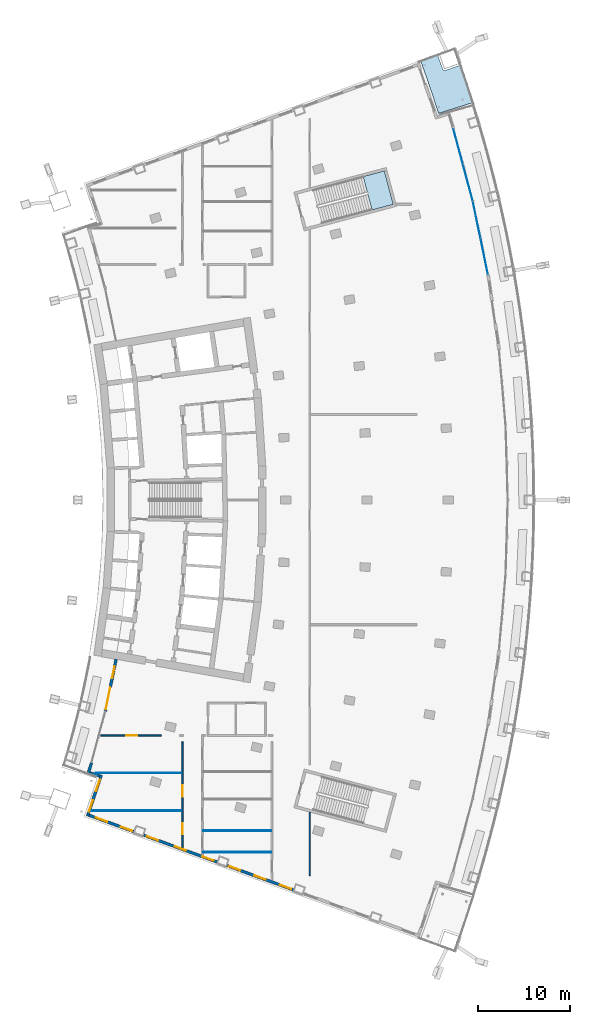
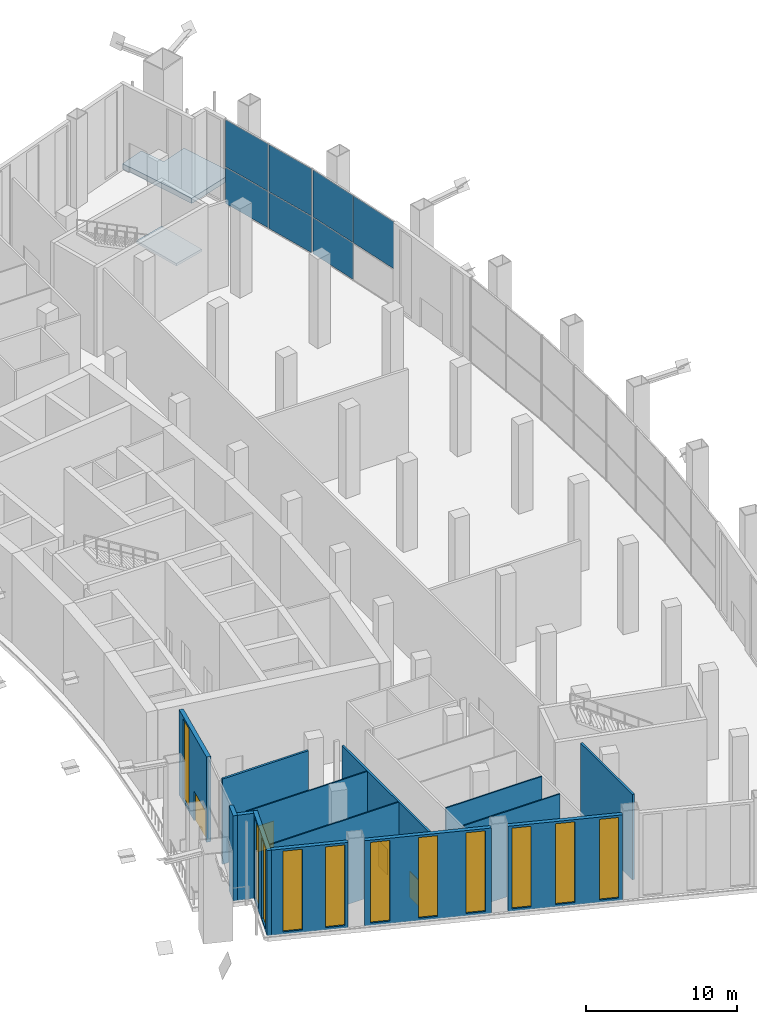
# One storey, part 15 of 27: 14 walls, 11 windows, 7 plates, 4 doors, 2 slabs, 15 openings, 3 elements without a shape of their own.
"""IFC4 building model written with IfcOpenShell, lengths in metres."""

from ifc_helpers import new_model, si_unit, direction, frame, frame_2d, origin, origin_2d, place, context, subcontext, project, spatial, polyline, rectangle, outline, extrude, material, layer, layer_set, type_object, element, fill, aggregate, save


model = new_model("IFC4")

# Units and contexts
model_context = context("Model", 3, precision=1e-05, world=origin(), true_north=direction((0.0, 1.0)))
body_context = subcontext(model_context, "Body", "Model", "MODEL_VIEW")
ifc_project = project(units=[si_unit("LENGTHUNIT", "METRE"), si_unit("AREAUNIT", "SQUARE_METRE"), si_unit("VOLUMEUNIT", "CUBIC_METRE"), si_unit("PLANEANGLEUNIT", "RADIAN"), si_unit("MASSUNIT", "GRAM", prefix="KILO")], contexts=[model_context])

# Site, building, storey
site_placement = place(None, origin())
site = spatial("IfcSite", under=ifc_project, at=site_placement, CompositionType="ELEMENT")
building_placement = place(site_placement, origin())
building = spatial("IfcBuilding", under=site, at=building_placement, Name="Alderwake Tower", CompositionType="ELEMENT")
storey_placement = place(building_placement, frame((0.0, 0.0, 75.199951171875)))
storey = spatial("IfcBuildingStorey", under=building, at=storey_placement, Name="L18", CompositionType="ELEMENT", Elevation=75.199951171875)

# Stair, slab
ifc_material_1 = material(Name="Concrete C40/50", Category="concrete")
stair_type = type_object("IfcStairType", Name="Core exit stair", PredefinedType="HALF_TURN_STAIR", material=ifc_material_1)
stair_placement = place(storey_placement, origin())
stair = element("IfcStair", 1, at=stair_placement, inside=storey, type_object=stair_type, Name="L18 Exit Stair A", PredefinedType="HALF_TURN_STAIR")
ifc_material_2 = material(Name="Concrete C40/50", Category="concrete")
ifc_layer_1 = layer(ifc_material_2, 0.199951171875)
ifc_layer_set_1 = layer_set([ifc_layer_1], Name="Core stair landing 200")
slab_type_1 = type_object("IfcSlabType", Name="Core stair landing 200", PredefinedType="LANDING", material=ifc_layer_set_1)
slab_1_placement = place(storey_placement, frame((0.0, 0.0, 3.400146484375)))
slab_1 = element("IfcSlab", 2, at=slab_1_placement, type_object=slab_type_1, Name="ST-A landing 1", PredefinedType="LANDING", context=body_context, shape_type="SweptSolid", body=[
    extrude(outline(polyline([(45.146240234375, 92.39306640625), (47.436279296875, 93.003173828125), (46.47119140625, 96.626708984375), (44.18115234375, 96.0166015625), (45.146240234375, 92.39306640625)])), origin(), (0.0, 0.0, 1.0), 0.199951171875),
])
aggregate(stair, [slab_1])

# Curtain wall, plates
ifc_material_3 = material(Name="Bronze tinted glass in aluminium frame", Category="aluminium")
ifc_layer_2 = layer(ifc_material_3, 0.199951171875)
ifc_layer_set_2 = layer_set([ifc_layer_2], Name="Curtain wall CW3 sky garden glazing")
curtain_wall_type = type_object("IfcCurtainWallType", Name="Curtain wall CW3 sky garden glazing", PredefinedType="NOTDEFINED", material=ifc_layer_set_2)
curtain_wall_1_placement = place(storey_placement, origin())
curtain_wall_1 = element("IfcCurtainWall", 3, at=curtain_wall_1_placement, inside=storey, type_object=curtain_wall_type, Name="Curtain wall 9", PredefinedType="NOTDEFINED")
ifc_material_4 = material(Name="Bronze tinted glass in aluminium frame", Category="aluminium")
ifc_layer_3 = layer(ifc_material_4, 0.028076171875)
ifc_layer_set_3 = layer_set([ifc_layer_3], Name="Glass panel GPC 28")
plate_type = type_object("IfcPlateType", Name="Glass panel GPC 28", PredefinedType="CURTAIN_PANEL", material=ifc_layer_set_3)
plate_1_placement = place(storey_placement, frame((57.297607421875, 87.35986328125, 3.030029296875), z_axis=(0.0, 0.0, 1.0), x_axis=(-0.202741361928, 0.979232321854, 0.0)))
plate_1 = element("IfcPlate", 4, at=plate_1_placement, type_object=plate_type, Name="CW.09 panel 1.2", PredefinedType="CURTAIN_PANEL", context=body_context, shape_type="SweptSolid", body=[
    extrude(rectangle(XDim=3.98974609375, YDim=0.028076171875, at=origin_2d()), origin(), (0.0, 0.0, 1.0), 3.7900390625),
])
plate_2_placement = place(storey_placement, frame((56.4765625, 91.325439453125, 0.06005859375), z_axis=(0.0, 0.0, 1.0), x_axis=(-0.202741361928, 0.979232321854, 0.0)))
plate_2 = element("IfcPlate", 5, at=plate_2_placement, type_object=plate_type, Name="CW.09 panel 2.1", PredefinedType="CURTAIN_PANEL", context=body_context, shape_type="SweptSolid", body=[
    extrude(rectangle(XDim=3.98974609375, YDim=0.028076171875, at=origin_2d()), origin(), (0.0, 0.0, 1.0), 2.909912109375),
])
plate_3_placement = place(storey_placement, frame((56.4765625, 91.325439453125, 3.030029296875), z_axis=(0.0, 0.0, 1.0), x_axis=(-0.202741361928, 0.979232321854, 0.0)))
plate_3 = element("IfcPlate", 6, at=plate_3_placement, type_object=plate_type, Name="CW.09 panel 2.2", PredefinedType="CURTAIN_PANEL", context=body_context, shape_type="SweptSolid", body=[
    extrude(rectangle(XDim=3.98974609375, YDim=0.028076171875, at=origin_2d()), origin(), (0.0, 0.0, 1.0), 3.7900390625),
])
aggregate(curtain_wall_1, [plate_1, plate_2, plate_3])

curtain_wall_2_placement = place(storey_placement, origin())
curtain_wall_2 = element("IfcCurtainWall", 7, at=curtain_wall_2_placement, inside=storey, type_object=curtain_wall_type, Name="Curtain wall 10", PredefinedType="NOTDEFINED")
plate_4_placement = place(storey_placement, frame((55.52734375, 95.3193359375, 0.06005859375), z_axis=(0.0, 0.0, 1.0), x_axis=(-0.259494384779, 0.965744616484, 0.0)))
plate_4 = element("IfcPlate", 8, at=plate_4_placement, type_object=plate_type, Name="CW.10 panel 1.1", PredefinedType="CURTAIN_PANEL", context=body_context, shape_type="SweptSolid", body=[
    extrude(rectangle(XDim=3.98974609375, YDim=0.028076171875, at=origin_2d()), origin(), (0.0, 0.0, 1.0), 2.909912109375),
])
plate_5_placement = place(storey_placement, frame((55.52734375, 95.3193359375, 3.030029296875), z_axis=(0.0, 0.0, 1.0), x_axis=(-0.259494384779, 0.965744616484, 0.0)))
plate_5 = element("IfcPlate", 9, at=plate_5_placement, type_object=plate_type, Name="CW.10 panel 1.2", PredefinedType="CURTAIN_PANEL", context=body_context, shape_type="SweptSolid", body=[
    extrude(rectangle(XDim=3.98974609375, YDim=0.028076171875, at=origin_2d()), origin(), (0.0, 0.0, 1.0), 3.7900390625),
])
plate_6_placement = place(storey_placement, frame((54.4765625, 99.23046875, 0.06005859375), z_axis=(0.0, 0.0, 1.0), x_axis=(-0.259494384779, 0.965744616484, 0.0)))
plate_6 = element("IfcPlate", 10, at=plate_6_placement, type_object=plate_type, Name="CW.10 panel 2.1", PredefinedType="CURTAIN_PANEL", context=body_context, shape_type="SweptSolid", body=[
    extrude(rectangle(XDim=3.98974609375, YDim=0.028076171875, at=origin_2d()), origin(), (0.0, 0.0, 1.0), 2.909912109375),
])
plate_7_placement = place(storey_placement, frame((54.4765625, 99.23046875, 3.030029296875), z_axis=(0.0, 0.0, 1.0), x_axis=(-0.259494384779, 0.965744616484, 0.0)))
plate_7 = element("IfcPlate", 11, at=plate_7_placement, type_object=plate_type, Name="CW.10 panel 2.2", PredefinedType="CURTAIN_PANEL", context=body_context, shape_type="SweptSolid", body=[
    extrude(rectangle(XDim=3.98974609375, YDim=0.028076171875, at=origin_2d()), origin(), (0.0, 0.0, 1.0), 3.7900390625),
])
aggregate(curtain_wall_2, [plate_4, plate_5, plate_6, plate_7])

# Slab
ifc_material_5 = material(Name="Concrete C50/60", Category="concrete")
ifc_layer_4 = layer(ifc_material_5, 0.419921875)
ifc_layer_set_4 = layer_set([ifc_layer_4], Name="Terrace slab 420")
slab_type_2 = type_object("IfcSlabType", Name="Terrace slab 420", PredefinedType="FLOOR", material=ifc_layer_set_4)
slab_2_placement = place(storey_placement, frame((0.0, 0.0, -0.419921875)))
element("IfcSlab", 12, at=slab_2_placement, inside=storey, type_object=slab_type_2, Name="Corner terrace FN", PredefinedType="FLOOR", context=body_context, shape_type="SweptSolid", body=[
    extrude(outline(polyline([(54.84228515625, 108.00439453125), (55.51318359375, 106.032958984375), (56.155517578125, 104.052001953125), (52.341796875, 102.84619140625), (51.71728515625, 104.771484375), (51.065185546875, 106.687744140625), (50.385009765625, 108.59423828125), (52.219482421875, 109.263916015625), (52.82275390625, 107.57763671875), (52.828369140625, 107.564208984375), (52.83544921875, 107.55126953125), (52.843505859375, 107.538818359375), (52.852783203125, 107.527587890625), (52.86328125, 107.51708984375), (52.874755859375, 107.5078125), (52.886962890625, 107.49951171875), (52.89990234375, 107.49267578125), (52.91357421875, 107.487060546875), (52.927490234375, 107.48291015625), (52.94189453125, 107.47998046875), (52.956787109375, 107.478515625), (52.971435546875, 107.478515625), (52.986083984375, 107.47998046875), (53.00048828125, 107.48291015625), (53.0146484375, 107.487060546875), (54.798828125, 108.12548828125), (54.84228515625, 108.00439453125)])), origin(), (0.0, 0.0, 1.0), 0.419921875),
])

# Wall, opening, door
ifc_material_6 = material(Name="Gypsum board on metal studs, rated")
ifc_layer_5 = layer(ifc_material_6, 0.159912109375)
ifc_layer_set_5 = layer_set([ifc_layer_5], Name="Corridor wall 160")
wall_type_1 = type_object("IfcWallType", Name="Corridor wall 160", PredefinedType="PARTITIONING", material=ifc_layer_set_5)
wall_1_placement = place(storey_placement, frame((15.781982421875, 35.4990234375, 0.0), z_axis=(0.0, 0.0, 1.0), x_axis=(1.0, 0.0, 0.0)))
wall_1 = element("IfcWall", 13, at=wall_1_placement, inside=storey, type_object=wall_type_1, Name="WL/L18/W06", PredefinedType="PARTITIONING", context=body_context, shape_type="SweptSolid", body=[
    extrude(rectangle(XDim=6.5439453125, YDim=0.159912109375, at=frame_2d((3.27197265625, 0.0))), origin(), (0.0, 0.0, 1.0), 6.880126953125),
])
opening_1_placement = place(wall_1_placement, frame((2.7294921875, 0.0, 0.0)))
opening_1 = element("IfcOpeningElement", 14, at=opening_1_placement, cuts=wall_1, Name="Opening L18-01", PredefinedType="OPENING", context=body_context, shape_type="SweptSolid", body=[
    extrude(rectangle(XDim=1.199951171875, YDim=2.10009765625, at=frame_2d((0.60009765625, 1.050048828125))), frame((0.0, 0.08984375, 0.0), z_axis=(0.0, -1.0, 0.0), x_axis=(1.0, 0.0, 0.0)), (0.0, 0.0, 1.0), 0.179931640625),
])
ifc_material_7 = material(Name="Steel door leaf in steel frame", Category="steel")
door_type_1 = type_object("IfcDoorType", Name="Plant room door 1200 steel", OperationType="SINGLE_SWING_LEFT", PredefinedType="DOOR", material=ifc_material_7)
door_1_placement = place(opening_1_placement, origin())
door_1 = element("IfcDoor", 15, at=door_1_placement, inside=storey, type_object=door_type_1, Name="DR/L18/01", OperationType="SINGLE_SWING_LEFT", OverallHeight=2.10009765625, OverallWidth=1.199951171875, PredefinedType="DOOR", context=body_context, shape_type="SweptSolid", body=[
    extrude(rectangle(XDim=1.199951171875, YDim=2.10009765625, at=frame_2d((0.60009765625, 1.050048828125))), frame((0.0, 0.02490234375, 0.0), z_axis=(0.0, -1.0, 0.0), x_axis=(1.0, 0.0, 0.0)), (0.0, 0.0, 1.0), 0.050048828125),
])
fill(opening_1, door_1)

# Wall, openings, doors
wall_2_placement = place(storey_placement, frame((24.60009765625, 34.819091796875, 0.0), z_axis=(0.0, 0.0, 1.0), x_axis=(0.0, -1.0, 0.0)))
wall_2 = element("IfcWall", 16, at=wall_2_placement, inside=storey, type_object=wall_type_1, Name="WL/L18/W09", PredefinedType="PARTITIONING", context=body_context, shape_type="SweptSolid", body=[
    extrude(rectangle(XDim=11.4501953125, YDim=0.159912109375, at=frame_2d((5.72509765625, 0.0))), origin(), (0.0, 0.0, 1.0), 6.880126953125),
])
opening_2_placement = place(wall_2_placement, frame((4.718994140625, 0.0, 0.0)))
opening_2 = element("IfcOpeningElement", 17, at=opening_2_placement, cuts=wall_2, Name="Opening L18-02", PredefinedType="OPENING", context=body_context, shape_type="SweptSolid", body=[
    extrude(rectangle(XDim=1.199951171875, YDim=2.10009765625, at=frame_2d((0.60009765625, 1.050048828125))), frame((0.0, 0.08984375, 0.0), z_axis=(0.0, -1.0, 0.0), x_axis=(1.0, 0.0, 0.0)), (0.0, 0.0, 1.0), 0.179931640625),
])
opening_3_placement = place(wall_2_placement, frame((8.819091796875, 0.0, 0.0)))
opening_3 = element("IfcOpeningElement", 18, at=opening_3_placement, cuts=wall_2, Name="Opening L18-03", PredefinedType="OPENING", context=body_context, shape_type="SweptSolid", body=[
    extrude(rectangle(XDim=1.199951171875, YDim=2.10009765625, at=frame_2d((0.60009765625, 1.050048828125))), frame((0.0, 0.08984375, 0.0), z_axis=(0.0, -1.0, 0.0), x_axis=(1.0, 0.0, 0.0)), (0.0, 0.0, 1.0), 0.179931640625),
])
door_2_placement = place(opening_2_placement, origin())
door_2 = element("IfcDoor", 19, at=door_2_placement, inside=storey, type_object=door_type_1, Name="DR/L18/02", OperationType="SINGLE_SWING_LEFT", OverallHeight=2.10009765625, OverallWidth=1.199951171875, PredefinedType="DOOR", context=body_context, shape_type="SweptSolid", body=[
    extrude(rectangle(XDim=1.199951171875, YDim=2.10009765625, at=frame_2d((0.60009765625, 1.050048828125))), frame((0.0, 0.02490234375, 0.0), z_axis=(0.0, -1.0, 0.0), x_axis=(1.0, 0.0, 0.0)), (0.0, 0.0, 1.0), 0.050048828125),
])
fill(opening_2, door_2)
door_3_placement = place(opening_3_placement, origin())
door_3 = element("IfcDoor", 20, at=door_3_placement, inside=storey, type_object=door_type_1, Name="DR/L18/03", OperationType="SINGLE_SWING_LEFT", OverallHeight=2.10009765625, OverallWidth=1.199951171875, PredefinedType="DOOR", context=body_context, shape_type="SweptSolid", body=[
    extrude(rectangle(XDim=1.199951171875, YDim=2.10009765625, at=frame_2d((0.60009765625, 1.050048828125))), frame((0.0, 0.02490234375, 0.0), z_axis=(0.0, -1.0, 0.0), x_axis=(1.0, 0.0, 0.0)), (0.0, 0.0, 1.0), 0.050048828125),
])
fill(opening_3, door_3)

# Wall
wall_3_placement = place(storey_placement, frame((38.39990234375, 20.343017578125, 0.0), z_axis=(0.0, 0.0, 1.0), x_axis=(0.0, 1.0, 0.0)))
element("IfcWall", 21, at=wall_3_placement, inside=storey, type_object=wall_type_1, Name="WL/L18/W26", PredefinedType="PARTITIONING", context=body_context, shape_type="SweptSolid", body=[
    extrude(rectangle(XDim=6.85009765625, YDim=0.159912109375, at=frame_2d((3.425048828125, 0.0))), origin(), (0.0, 0.0, 1.0), 6.880126953125),
])

# Wall, openings, door, window
ifc_material_8 = material(Name="Precast concrete C50/60 spandrel panel", Category="concrete")
ifc_layer_6 = layer(ifc_material_8, 0.300048828125)
ifc_layer_set_6 = layer_set([ifc_layer_6], Name="External wall EW1 Precast concrete C50/60 spandrel")
wall_type_2 = type_object("IfcWallType", Name="External wall EW1 Precast concrete C50/60 spandrel", PredefinedType="SOLIDWALL", material=ifc_layer_set_6)
wall_4_placement = place(storey_placement, frame((17.436279296875, 43.7607421875, 0.0), z_axis=(0.0, 0.0, 1.0), x_axis=(-0.202748605446, -0.97923082212, 0.0)))
wall_4 = element("IfcWall", 22, at=wall_4_placement, inside=storey, type_object=wall_type_2, Name="External wall 4", PredefinedType="SOLIDWALL", context=body_context, shape_type="SweptSolid", body=[
    extrude(rectangle(XDim=5.75830078125, YDim=0.300048828125, at=frame_2d((2.879150390625, 0.0))), origin(), (0.0, 0.0, 1.0), 6.880126953125),
])
opening_4_placement = place(wall_4_placement, frame((0.781982421875, 0.0, 0.199951171875)))
opening_4 = element("IfcOpeningElement", 23, at=opening_4_placement, cuts=wall_4, Name="Opening W5", PredefinedType="OPENING", context=body_context, shape_type="SweptSolid", body=[
    extrude(rectangle(XDim=1.300048828125, YDim=6.5, at=frame_2d((0.64990234375, 3.25))), frame((0.0, 0.159912109375, 0.0), z_axis=(0.0, -1.0, 0.0), x_axis=(1.0, 0.0, 0.0)), (0.0, 0.0, 1.0), 0.320068359375),
])
opening_5_placement = place(wall_4_placement, frame((3.1162109375, 0.0, 0.0)))
opening_5 = element("IfcOpeningElement", 24, at=opening_5_placement, cuts=wall_4, Name="Opening D02", PredefinedType="OPENING", context=body_context, shape_type="SweptSolid", body=[
    extrude(rectangle(XDim=2.39990234375, YDim=2.39990234375, at=frame_2d((1.199951171875, 1.199951171875))), frame((0.0, 0.159912109375, 0.0), z_axis=(0.0, -1.0, 0.0), x_axis=(1.0, 0.0, 0.0)), (0.0, 0.0, 1.0), 0.320068359375),
])
ifc_material_9 = material(Name="Bronze tinted glass in aluminium frame", Category="aluminium")
door_type_2 = type_object("IfcDoorType", Name="Garden door GD sliding", OperationType="DOUBLE_DOOR_SINGLE_SWING", PredefinedType="DOOR", material=ifc_material_9)
door_4_placement = place(opening_5_placement, origin())
door_4 = element("IfcDoor", 25, at=door_4_placement, inside=storey, type_object=door_type_2, Name="Door D02", OperationType="DOUBLE_DOOR_SINGLE_SWING", OverallHeight=2.39990234375, OverallWidth=2.39990234375, PredefinedType="DOOR", context=body_context, shape_type="SweptSolid", body=[
    extrude(rectangle(XDim=2.39990234375, YDim=2.39990234375, at=frame_2d((1.199951171875, 1.199951171875))), frame((0.0, 0.02490234375, 0.0), z_axis=(0.0, -1.0, 0.0), x_axis=(1.0, 0.0, 0.0)), (0.0, 0.0, 1.0), 0.050048828125),
])
fill(opening_5, door_4)
ifc_material_10 = material(Name="Bronze tinted glass in aluminium frame", Category="aluminium")
window_type = type_object("IfcWindowType", Name="Window W5 garden floor tall", PartitioningType="SINGLE_PANEL", PredefinedType="WINDOW", material=ifc_material_10)
window_1_placement = place(opening_4_placement, origin())
window_1 = element("IfcWindow", 26, at=window_1_placement, inside=storey, type_object=window_type, Name="Window W5 garden floor tall", OverallHeight=6.5, OverallWidth=1.300048828125, PartitioningType="SINGLE_PANEL", PredefinedType="WINDOW", context=body_context, shape_type="SweptSolid", body=[
    extrude(rectangle(XDim=1.300048828125, YDim=6.5, at=frame_2d((0.64990234375, 3.25))), frame((0.0, 0.030029296875, 0.0), z_axis=(0.0, -1.0, 0.0), x_axis=(1.0, 0.0, 0.0)), (0.0, 0.0, 1.0), 0.06005859375),
])
fill(opening_4, window_1)

# Walls
wall_5_placement = place(storey_placement, frame((14.77099609375, 32.546630859375, 0.0), z_axis=(0.0, 0.0, 1.0), x_axis=(-0.294693229182, -0.95559191116, 0.0)))
element("IfcWall", 27, at=wall_5_placement, inside=storey, type_object=wall_type_2, Name="External wall 5", PredefinedType="SOLIDWALL", context=body_context, shape_type="SweptSolid", body=[
    extrude(rectangle(XDim=1.24267578125, YDim=0.300048828125, at=frame_2d((0.621337890625, 0.0))), origin(), (0.0, 0.0, 1.0), 6.880126953125),
])
ifc_material_11 = material(Name="Bronze metal cladding on lightweight framing")
ifc_layer_7 = layer(ifc_material_11, 0.300048828125)
ifc_layer_set_7 = layer_set([ifc_layer_7], Name="External wall EW2 bronze metal cladding")
wall_type_3 = type_object("IfcWallType", Name="External wall EW2 bronze metal cladding", PredefinedType="SOLIDWALL", material=ifc_layer_set_7)
wall_6_placement = place(storey_placement, frame((14.592041015625, 31.457275390625, 0.0), z_axis=(0.0, 0.0, 1.0), x_axis=(0.953449116427, -0.301553946061, 0.0)))
element("IfcWall", 28, at=wall_6_placement, inside=storey, type_object=wall_type_3, Name="External wall 6", PredefinedType="SOLIDWALL", context=body_context, shape_type="SweptSolid", body=[
    extrude(rectangle(XDim=1.10595703125, YDim=0.300048828125, at=frame_2d((0.552978515625, 0.0))), origin(), (0.0, 0.0, 1.0), 6.880126953125),
])

# Wall, openings, windows
wall_7_placement = place(storey_placement, frame((15.83740234375, 31.220703125, 0.0), z_axis=(0.0, 0.0, 1.0), x_axis=(-0.32041006121, -0.947278941324, 0.0)))
wall_7 = element("IfcWall", 29, at=wall_7_placement, inside=storey, type_object=wall_type_3, Name="External wall 7", PredefinedType="SOLIDWALL", context=body_context, shape_type="SweptSolid", body=[
    extrude(rectangle(XDim=4.68994140625, YDim=0.300048828125, at=frame_2d((2.344970703125, 0.0))), origin(), (0.0, 0.0, 1.0), 6.880126953125),
])
opening_6_placement = place(wall_7_placement, frame((0.5224609375, 0.0, 0.199951171875)))
opening_6 = element("IfcOpeningElement", 30, at=opening_6_placement, cuts=wall_7, Name="Opening W5", PredefinedType="OPENING", context=body_context, shape_type="SweptSolid", body=[
    extrude(rectangle(XDim=1.300048828125, YDim=6.5, at=frame_2d((0.64990234375, 3.25))), frame((0.0, 0.159912109375, 0.0), z_axis=(0.0, -1.0, 0.0), x_axis=(1.0, 0.0, 0.0)), (0.0, 0.0, 1.0), 0.320068359375),
])
opening_7_placement = place(wall_7_placement, frame((2.867431640625, 0.0, 0.199951171875)))
opening_7 = element("IfcOpeningElement", 31, at=opening_7_placement, cuts=wall_7, Name="Opening W5", PredefinedType="OPENING", context=body_context, shape_type="SweptSolid", body=[
    extrude(rectangle(XDim=1.300048828125, YDim=6.5, at=frame_2d((0.64990234375, 3.25))), frame((0.0, 0.159912109375, 0.0), z_axis=(0.0, -1.0, 0.0), x_axis=(1.0, 0.0, 0.0)), (0.0, 0.0, 1.0), 0.320068359375),
])
window_2_placement = place(opening_6_placement, origin())
window_2 = element("IfcWindow", 32, at=window_2_placement, inside=storey, type_object=window_type, Name="Window W5 garden floor tall", OverallHeight=6.5, OverallWidth=1.300048828125, PartitioningType="SINGLE_PANEL", PredefinedType="WINDOW", context=body_context, shape_type="SweptSolid", body=[
    extrude(rectangle(XDim=1.300048828125, YDim=6.5, at=frame_2d((0.64990234375, 3.25))), frame((0.0, 0.030029296875, 0.0), z_axis=(0.0, -1.0, 0.0), x_axis=(1.0, 0.0, 0.0)), (0.0, 0.0, 1.0), 0.06005859375),
])
fill(opening_6, window_2)
window_3_placement = place(opening_7_placement, origin())
window_3 = element("IfcWindow", 33, at=window_3_placement, inside=storey, type_object=window_type, Name="Window W5 garden floor tall", OverallHeight=6.5, OverallWidth=1.300048828125, PartitioningType="SINGLE_PANEL", PredefinedType="WINDOW", context=body_context, shape_type="SweptSolid", body=[
    extrude(rectangle(XDim=1.300048828125, YDim=6.5, at=frame_2d((0.64990234375, 3.25))), frame((0.0, 0.030029296875, 0.0), z_axis=(0.0, -1.0, 0.0), x_axis=(1.0, 0.0, 0.0)), (0.0, 0.0, 1.0), 0.06005859375),
])
fill(opening_7, window_3)

wall_8_placement = place(storey_placement, frame((14.523681640625, 26.86865234375, 0.0), z_axis=(0.0, 0.0, 1.0), x_axis=(0.939371865822, -0.342900127883, 0.0)))
wall_8 = element("IfcWall", 34, at=wall_8_placement, inside=storey, type_object=wall_type_3, Name="External wall 8", PredefinedType="SOLIDWALL", context=body_context, shape_type="SweptSolid", body=[
    extrude(rectangle(XDim=5.149169921875, YDim=0.300048828125, at=frame_2d((2.57470703125, 0.0))), origin(), (0.0, 0.0, 1.0), 6.880126953125),
])
opening_8_placement = place(wall_8_placement, frame((0.775390625, 0.0, 0.199951171875)))
opening_8 = element("IfcOpeningElement", 35, at=opening_8_placement, cuts=wall_8, Name="Opening W5", PredefinedType="OPENING", context=body_context, shape_type="SweptSolid", body=[
    extrude(rectangle(XDim=1.300048828125, YDim=6.5, at=frame_2d((0.64990234375, 3.25))), frame((0.0, 0.159912109375, 0.0), z_axis=(0.0, -1.0, 0.0), x_axis=(1.0, 0.0, 0.0)), (0.0, 0.0, 1.0), 0.320068359375),
])
opening_9_placement = place(wall_8_placement, frame((3.626220703125, 0.0, 0.199951171875)))
opening_9 = element("IfcOpeningElement", 36, at=opening_9_placement, cuts=wall_8, Name="Opening W5", PredefinedType="OPENING", context=body_context, shape_type="SweptSolid", body=[
    extrude(rectangle(XDim=1.300048828125, YDim=6.5, at=frame_2d((0.64990234375, 3.25))), frame((0.0, 0.159912109375, 0.0), z_axis=(0.0, -1.0, 0.0), x_axis=(1.0, 0.0, 0.0)), (0.0, 0.0, 1.0), 0.320068359375),
])
window_4_placement = place(opening_8_placement, origin())
window_4 = element("IfcWindow", 37, at=window_4_placement, inside=storey, type_object=window_type, Name="Window W5 garden floor tall", OverallHeight=6.5, OverallWidth=1.300048828125, PartitioningType="SINGLE_PANEL", PredefinedType="WINDOW", context=body_context, shape_type="SweptSolid", body=[
    extrude(rectangle(XDim=1.300048828125, YDim=6.5, at=frame_2d((0.64990234375, 3.25))), frame((0.0, 0.030029296875, 0.0), z_axis=(0.0, -1.0, 0.0), x_axis=(1.0, 0.0, 0.0)), (0.0, 0.0, 1.0), 0.06005859375),
])
fill(opening_8, window_4)
window_5_placement = place(opening_9_placement, origin())
window_5 = element("IfcWindow", 38, at=window_5_placement, inside=storey, type_object=window_type, Name="Window W5 garden floor tall", OverallHeight=6.5, OverallWidth=1.300048828125, PartitioningType="SINGLE_PANEL", PredefinedType="WINDOW", context=body_context, shape_type="SweptSolid", body=[
    extrude(rectangle(XDim=1.300048828125, YDim=6.5, at=frame_2d((0.64990234375, 3.25))), frame((0.0, 0.030029296875, 0.0), z_axis=(0.0, -1.0, 0.0), x_axis=(1.0, 0.0, 0.0)), (0.0, 0.0, 1.0), 0.06005859375),
])
fill(opening_9, window_5)

wall_9_placement = place(storey_placement, frame((20.398681640625, 24.72412109375, 0.0), z_axis=(0.0, 0.0, 1.0), x_axis=(0.939369809957, -0.342905759856, 0.0)))
wall_9 = element("IfcWall", 39, at=wall_9_placement, inside=storey, type_object=wall_type_3, Name="External wall 9", PredefinedType="SOLIDWALL", context=body_context, shape_type="SweptSolid", body=[
    extrude(rectangle(XDim=8.495361328125, YDim=0.300048828125, at=frame_2d((4.24755859375, 0.0))), origin(), (0.0, 0.0, 1.0), 6.880126953125),
])
opening_10_placement = place(wall_9_placement, frame((0.3974609375, 0.0, 0.199951171875)))
opening_10 = element("IfcOpeningElement", 40, at=opening_10_placement, cuts=wall_9, Name="Opening W5", PredefinedType="OPENING", context=body_context, shape_type="SweptSolid", body=[
    extrude(rectangle(XDim=1.300048828125, YDim=6.5, at=frame_2d((0.64990234375, 3.25))), frame((0.0, 0.159912109375, 0.0), z_axis=(0.0, -1.0, 0.0), x_axis=(1.0, 0.0, 0.0)), (0.0, 0.0, 1.0), 0.320068359375),
])
opening_11_placement = place(wall_9_placement, frame((3.597412109375, 0.0, 0.199951171875)))
opening_11 = element("IfcOpeningElement", 41, at=opening_11_placement, cuts=wall_9, Name="Opening W5", PredefinedType="OPENING", context=body_context, shape_type="SweptSolid", body=[
    extrude(rectangle(XDim=1.300048828125, YDim=6.5, at=frame_2d((0.64990234375, 3.25))), frame((0.0, 0.159912109375, 0.0), z_axis=(0.0, -1.0, 0.0), x_axis=(1.0, 0.0, 0.0)), (0.0, 0.0, 1.0), 0.320068359375),
])
opening_12_placement = place(wall_9_placement, frame((6.797607421875, 0.0, 0.199951171875)))
opening_12 = element("IfcOpeningElement", 42, at=opening_12_placement, cuts=wall_9, Name="Opening W5", PredefinedType="OPENING", context=body_context, shape_type="SweptSolid", body=[
    extrude(rectangle(XDim=1.300048828125, YDim=6.5, at=frame_2d((0.64990234375, 3.25))), frame((0.0, 0.159912109375, 0.0), z_axis=(0.0, -1.0, 0.0), x_axis=(1.0, 0.0, 0.0)), (0.0, 0.0, 1.0), 0.320068359375),
])
window_6_placement = place(opening_10_placement, origin())
window_6 = element("IfcWindow", 43, at=window_6_placement, inside=storey, type_object=window_type, Name="Window W5 garden floor tall", OverallHeight=6.5, OverallWidth=1.300048828125, PartitioningType="SINGLE_PANEL", PredefinedType="WINDOW", context=body_context, shape_type="SweptSolid", body=[
    extrude(rectangle(XDim=1.300048828125, YDim=6.5, at=frame_2d((0.64990234375, 3.25))), frame((0.0, 0.030029296875, 0.0), z_axis=(0.0, -1.0, 0.0), x_axis=(1.0, 0.0, 0.0)), (0.0, 0.0, 1.0), 0.06005859375),
])
fill(opening_10, window_6)
window_7_placement = place(opening_11_placement, origin())
window_7 = element("IfcWindow", 44, at=window_7_placement, inside=storey, type_object=window_type, Name="Window W5 garden floor tall", OverallHeight=6.5, OverallWidth=1.300048828125, PartitioningType="SINGLE_PANEL", PredefinedType="WINDOW", context=body_context, shape_type="SweptSolid", body=[
    extrude(rectangle(XDim=1.300048828125, YDim=6.5, at=frame_2d((0.64990234375, 3.25))), frame((0.0, 0.030029296875, 0.0), z_axis=(0.0, -1.0, 0.0), x_axis=(1.0, 0.0, 0.0)), (0.0, 0.0, 1.0), 0.06005859375),
])
fill(opening_11, window_7)
window_8_placement = place(opening_12_placement, origin())
window_8 = element("IfcWindow", 45, at=window_8_placement, inside=storey, type_object=window_type, Name="Window W5 garden floor tall", OverallHeight=6.5, OverallWidth=1.300048828125, PartitioningType="SINGLE_PANEL", PredefinedType="WINDOW", context=body_context, shape_type="SweptSolid", body=[
    extrude(rectangle(XDim=1.300048828125, YDim=6.5, at=frame_2d((0.64990234375, 3.25))), frame((0.0, 0.030029296875, 0.0), z_axis=(0.0, -1.0, 0.0), x_axis=(1.0, 0.0, 0.0)), (0.0, 0.0, 1.0), 0.06005859375),
])
fill(opening_12, window_8)

wall_10_placement = place(storey_placement, frame((29.416748046875, 21.432373046875, 0.0), z_axis=(0.0, 0.0, 1.0), x_axis=(0.93936753929, -0.342911980148, 0.0)))
wall_10 = element("IfcWall", 46, at=wall_10_placement, inside=storey, type_object=wall_type_3, Name="External wall 10", PredefinedType="SOLIDWALL", context=body_context, shape_type="SweptSolid", body=[
    extrude(rectangle(XDim=7.695556640625, YDim=0.300048828125, at=frame_2d((3.84765625, 0.0))), origin(), (0.0, 0.0, 1.0), 6.880126953125),
])
opening_13_placement = place(wall_10_placement, frame((0.264404296875, 0.0, 0.199951171875)))
opening_13 = element("IfcOpeningElement", 47, at=opening_13_placement, cuts=wall_10, Name="Opening W5", PredefinedType="OPENING", context=body_context, shape_type="SweptSolid", body=[
    extrude(rectangle(XDim=1.300048828125, YDim=6.5, at=frame_2d((0.64990234375, 3.25))), frame((0.0, 0.159912109375, 0.0), z_axis=(0.0, -1.0, 0.0), x_axis=(1.0, 0.0, 0.0)), (0.0, 0.0, 1.0), 0.320068359375),
])
opening_14_placement = place(wall_10_placement, frame((3.19775390625, 0.0, 0.199951171875)))
opening_14 = element("IfcOpeningElement", 48, at=opening_14_placement, cuts=wall_10, Name="Opening W5", PredefinedType="OPENING", context=body_context, shape_type="SweptSolid", body=[
    extrude(rectangle(XDim=1.300048828125, YDim=6.5, at=frame_2d((0.64990234375, 3.25))), frame((0.0, 0.159912109375, 0.0), z_axis=(0.0, -1.0, 0.0), x_axis=(1.0, 0.0, 0.0)), (0.0, 0.0, 1.0), 0.320068359375),
])
opening_15_placement = place(wall_10_placement, frame((6.131103515625, 0.0, 0.199951171875)))
opening_15 = element("IfcOpeningElement", 49, at=opening_15_placement, cuts=wall_10, Name="Opening W5", PredefinedType="OPENING", context=body_context, shape_type="SweptSolid", body=[
    extrude(rectangle(XDim=1.300048828125, YDim=6.5, at=frame_2d((0.64990234375, 3.25))), frame((0.0, 0.159912109375, 0.0), z_axis=(0.0, -1.0, 0.0), x_axis=(1.0, 0.0, 0.0)), (0.0, 0.0, 1.0), 0.320068359375),
])
window_9_placement = place(opening_13_placement, origin())
window_9 = element("IfcWindow", 50, at=window_9_placement, inside=storey, type_object=window_type, Name="Window W5 garden floor tall", OverallHeight=6.5, OverallWidth=1.300048828125, PartitioningType="SINGLE_PANEL", PredefinedType="WINDOW", context=body_context, shape_type="SweptSolid", body=[
    extrude(rectangle(XDim=1.300048828125, YDim=6.5, at=frame_2d((0.64990234375, 3.25))), frame((0.0, 0.030029296875, 0.0), z_axis=(0.0, -1.0, 0.0), x_axis=(1.0, 0.0, 0.0)), (0.0, 0.0, 1.0), 0.06005859375),
])
fill(opening_13, window_9)
window_10_placement = place(opening_14_placement, origin())
window_10 = element("IfcWindow", 51, at=window_10_placement, inside=storey, type_object=window_type, Name="Window W5 garden floor tall", OverallHeight=6.5, OverallWidth=1.300048828125, PartitioningType="SINGLE_PANEL", PredefinedType="WINDOW", context=body_context, shape_type="SweptSolid", body=[
    extrude(rectangle(XDim=1.300048828125, YDim=6.5, at=frame_2d((0.64990234375, 3.25))), frame((0.0, 0.030029296875, 0.0), z_axis=(0.0, -1.0, 0.0), x_axis=(1.0, 0.0, 0.0)), (0.0, 0.0, 1.0), 0.06005859375),
])
fill(opening_14, window_10)
window_11_placement = place(opening_15_placement, origin())
window_11 = element("IfcWindow", 52, at=window_11_placement, inside=storey, type_object=window_type, Name="Window W5 garden floor tall", OverallHeight=6.5, OverallWidth=1.300048828125, PartitioningType="SINGLE_PANEL", PredefinedType="WINDOW", context=body_context, shape_type="SweptSolid", body=[
    extrude(rectangle(XDim=1.300048828125, YDim=6.5, at=frame_2d((0.64990234375, 3.25))), frame((0.0, 0.030029296875, 0.0), z_axis=(0.0, -1.0, 0.0), x_axis=(1.0, 0.0, 0.0)), (0.0, 0.0, 1.0), 0.06005859375),
])
fill(opening_15, window_11)

# Walls
ifc_material_12 = material(Name="Gypsum board on metal studs")
ifc_layer_8 = layer(ifc_material_12, 0.10009765625)
ifc_layer_set_8 = layer_set([ifc_layer_8], Name="Unit partition 100")
wall_type_4 = type_object("IfcWallType", Name="Unit partition 100", PredefinedType="PARTITIONING", material=ifc_layer_set_8)
wall_11_placement = place(storey_placement, frame((14.70703125, 27.35107421875, 0.0), z_axis=(0.0, 0.0, 1.0), x_axis=(1.0, 0.0, 0.0)))
element("IfcWall", 53, at=wall_11_placement, inside=storey, type_object=wall_type_4, Name="WL/L18/W30", PredefinedType="PARTITIONING", context=body_context, shape_type="SweptSolid", body=[
    extrude(rectangle(XDim=9.81298828125, YDim=0.10009765625, at=frame_2d((4.906494140625, 0.0))), origin(), (0.0, 0.0, 1.0), 6.880126953125),
])
wall_12_placement = place(storey_placement, frame((15.243896484375, 31.448974609375, 0.0), z_axis=(0.0, 0.0, 1.0), x_axis=(1.0, 0.0, 0.0)))
element("IfcWall", 54, at=wall_12_placement, inside=storey, type_object=wall_type_4, Name="WL/L18/W31", PredefinedType="PARTITIONING", context=body_context, shape_type="SweptSolid", body=[
    extrude(rectangle(XDim=9.276123046875, YDim=0.10009765625, at=frame_2d((4.63818359375, 0.0))), origin(), (0.0, 0.0, 1.0), 6.880126953125),
])
for number, where, z_axis, x_axis, name in (
    (55, (26.87890625, 22.85107421875, 0.0), (0.0, 0.0, 1.0), (1.0, 0.0, 0.0), "WL/L18/W34"),
    (56, (26.87890625, 25.199951171875, 0.0), (0.0, 0.0, 1.0), (1.0, 0.0, 0.0), "WL/L18/W35"),
):
    element("IfcWall", number, at=place(storey_placement, frame(where, z_axis=z_axis, x_axis=x_axis)), inside=storey, type_object=wall_type_4, Name=name, PredefinedType="PARTITIONING", context=body_context, shape_type="SweptSolid", body=[
        extrude(rectangle(XDim=7.340087890625, YDim=0.10009765625, at=frame_2d((3.669921875, 0.0))), origin(), (0.0, 0.0, 1.0), 6.880126953125),
    ])

save(model, "model.ifc")
